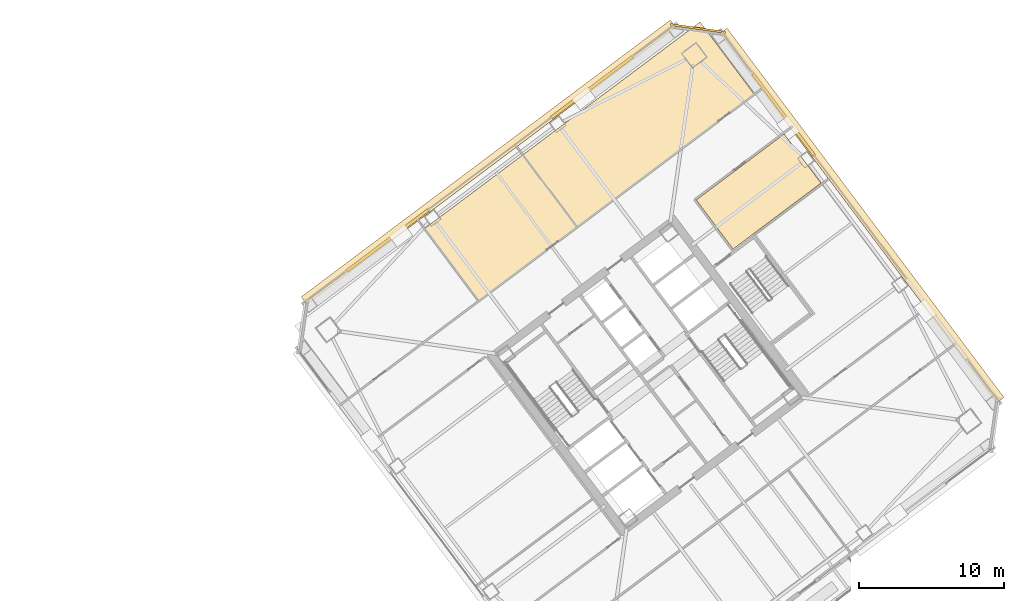
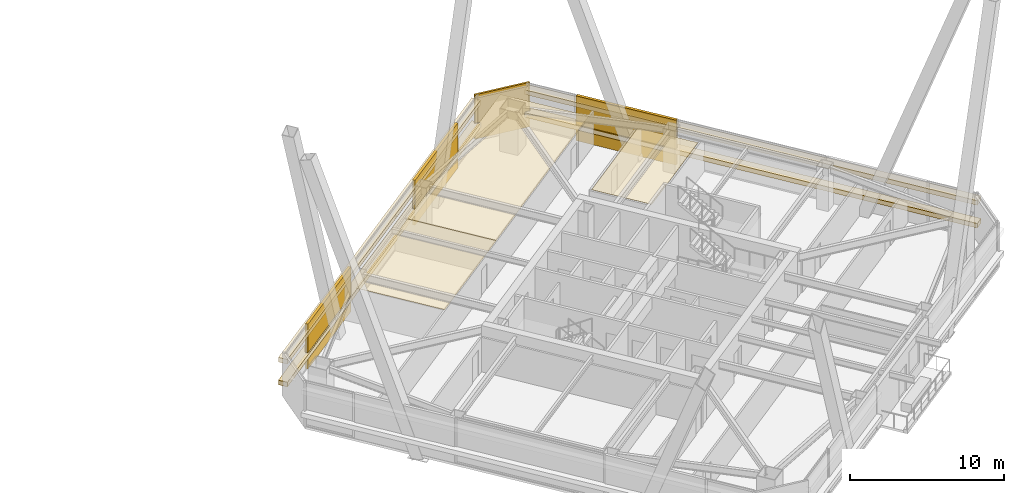
# One storey, part 54 of 54: 11 coverings.
"""IFC4 building model written with IfcOpenShell, lengths in metres."""

from ifc_helpers import new_model, si_unit, direction, frame, origin, origin_2d, place, context, subcontext, project, spatial, polyline, rectangle, outline, extrude, material, layer, layer_set, type_object, element, save


model = new_model("IFC4")

# Units and contexts
model_context = context("Model", 3, precision=1e-05, world=origin(), true_north=direction((0.0, 1.0)))
body_context = subcontext(model_context, "Body", "Model", "MODEL_VIEW")
ifc_project = project(units=[si_unit("LENGTHUNIT", "METRE"), si_unit("AREAUNIT", "SQUARE_METRE"), si_unit("VOLUMEUNIT", "CUBIC_METRE"), si_unit("PLANEANGLEUNIT", "RADIAN"), si_unit("MASSUNIT", "GRAM", prefix="KILO")], contexts=[model_context])

# Site, building, storey
site_placement = place(None, origin())
site = spatial("IfcSite", under=ifc_project, at=site_placement, CompositionType="ELEMENT")
building_placement = place(site_placement, origin())
building = spatial("IfcBuilding", under=site, at=building_placement, Name="Tashvorn Skyway Center", CompositionType="ELEMENT")
storey_placement = place(building_placement, frame((0.0, 0.0, 135.699951171875)))
storey = spatial("IfcBuildingStorey", under=building, at=storey_placement, Name="L36", CompositionType="ELEMENT", Elevation=135.699951171875)

# Coverings
ifc_material_1 = material(Name="Precast concrete C40/50", Category="concrete")
ifc_layer_1 = layer(ifc_material_1, 0.199951171875)
ifc_layer_set_1 = layer_set([ifc_layer_1], Name="Precast concrete C40/50")
covering_type_1 = type_object("IfcCoveringType", Name="COV-BRACE-CLAD", PredefinedType="CLADDING", material=ifc_layer_set_1)
for number, where, z_axis, x_axis, name in (
    (1, (95.97412109375, 41.33056640625, 0.0), (0.0, 0.0, 1.0), (0.799999996291, 0.600000004945, 0.0), "Tower 2 L36 North Unitised Curtain Wall Mega-Brace Cladding Band 1"),
    (2, (110.08984375, 51.917236328125, 0.0), (0.0, 0.0, 1.0), (0.799999996291, 0.600000004945, 0.0), "Tower 2 L36 North Unitised Curtain Wall Mega-Brace Cladding Band 2"),
    (3, (123.33056640625, 50.02587890625, 0.0), (0.0, 0.0, 1.0), (0.600000004945, -0.799999996291, 0.0), "Tower 2 L36 East Unitised Curtain Wall Mega-Brace Cladding Band 1"),
):
    element("IfcCovering", number, at=place(storey_placement, frame(where, z_axis=z_axis, x_axis=x_axis)), inside=storey, type_object=covering_type_1, Name=name, PredefinedType="CLADDING", context=body_context, shape_type="SweptSolid", body=[
        extrude(rectangle(XDim=7.057861328125, YDim=0.199951171875, at=origin_2d()), origin(), (0.0, 0.0, 1.0), 3.550048828125),
    ])
ifc_material_2 = material(Name="Mineral-fibre acoustic ceiling tile on suspended grid")
ifc_layer_2 = layer(ifc_material_2, 0.02001953125)
ifc_layer_set_2 = layer_set([ifc_layer_2], Name="Mineral-fibre acoustic ceiling tile on suspended grid")
covering_type_2 = type_object("IfcCoveringType", Name="COV-CEIL-20", PredefinedType="CEILING", material=ifc_layer_set_2)
covering_1_placement = place(storey_placement, frame((0.0, 0.0, 2.703125)))
element("IfcCovering", 4, at=covering_1_placement, inside=storey, type_object=covering_type_2, Name="Tower 2 L36 Executive Study Lounge Acoustic Ceiling", PredefinedType="CEILING", context=body_context, shape_type="SweptSolid", body=[
    extrude(outline(polyline([(102.27001953125, 37.139892578125), (109.070068359375, 42.239990234375), (105.320068359375, 47.239990234375), (98.52001953125, 42.139892578125), (102.27001953125, 37.139892578125)])), origin(), (0.0, 0.0, 1.0), 0.02001953125),
])
covering_2_placement = place(storey_placement, frame((0.0, 0.0, 2.703125)))
element("IfcCovering", 5, at=covering_2_placement, inside=storey, type_object=covering_type_2, Name="Tower 2 L36 Staff Fitness Club Acoustic Ceiling", PredefinedType="CEILING", context=body_context, shape_type="SweptSolid", body=[
    extrude(outline(polyline([(109.070068359375, 42.239990234375), (121.31005859375, 51.419921875), (117.56005859375, 56.419921875), (105.320068359375, 47.239990234375), (109.070068359375, 42.239990234375)])), origin(), (0.0, 0.0, 1.0), 0.02001953125),
])
covering_3_placement = place(storey_placement, frame((0.0, 0.0, 2.703125)))
element("IfcCovering", 6, at=covering_3_placement, inside=storey, type_object=covering_type_2, Name="Tower 2 L36 Open Plan Office Acoustic Ceiling", PredefinedType="CEILING", context=body_context, shape_type="SweptSolid", body=[
    extrude(outline(polyline([(119.840087890625, 40.72998046875), (117.2958984375, 44.1220703125), (123.367919921875, 48.676025390625), (125.912109375, 45.283935546875), (119.840087890625, 40.72998046875)])), origin(), (0.0, 0.0, 1.0), 0.02001953125),
])
ifc_material_3 = material(Name="Perforated ceramic-coated bronze aluminium solar screen", Category="aluminium")
ifc_layer_3 = layer(ifc_material_3, 0.85009765625)
ifc_layer_set_3 = layer_set([ifc_layer_3], Name="Perforated ceramic-coated bronze aluminium solar screen")
covering_type_3 = type_object("IfcCoveringType", Name="COV-SOLAR-BAND", PredefinedType="CLADDING", material=ifc_layer_set_3)
for number, where, z_axis, x_axis, name in (
    (7, (102.947998046875, 46.736083984375, 0.919921875), (0.0, 0.0, 1.0), (0.799999996291, 0.600000004945, 0.0), "L36 Perforated Ceramic-Metal Solar Screen Louvre Band North 1"),
    (8, (102.947998046875, 46.736083984375, 2.72021484375), (0.0, 0.0, 1.0), (0.799999996291, 0.600000004945, 0.0), "L36 Perforated Ceramic-Metal Solar Screen Louvre Band North 2"),
    (9, (128.736083984375, 43.052001953125, 0.919921875), (0.0, 0.0, 1.0), (0.600000004945, -0.799999996291, 0.0), "L36 Perforated Ceramic-Metal Solar Screen Louvre Band East 1"),
    (10, (128.736083984375, 43.052001953125, 2.72021484375), (0.0, 0.0, 1.0), (0.600000004945, -0.799999996291, 0.0), "L36 Perforated Ceramic-Metal Solar Screen Louvre Band East 2"),
):
    element("IfcCovering", number, at=place(storey_placement, frame(where, z_axis=z_axis, x_axis=x_axis)), inside=storey, type_object=covering_type_3, Name=name, PredefinedType="CLADDING", context=body_context, shape_type="SweptSolid", body=[
        extrude(rectangle(XDim=31.8798828125, YDim=0.639892578125, at=origin_2d()), origin(), (0.0, 0.0, 1.0), 0.360107421875),
    ])
ifc_layer_4 = layer(ifc_material_1, 0.35009765625)
ifc_layer_set_4 = layer_set([ifc_layer_4], Name="Precast concrete C40/50")
covering_type_4 = type_object("IfcCoveringType", Name="COV-STONE-TRIM", PredefinedType="CLADDING", material=ifc_layer_set_4)
covering_4_placement = place(storey_placement, frame((117.424072265625, 55.968017578125, 0.02001953125), z_axis=(0.0, 0.0, 1.0), x_axis=(0.989949494535, -0.141421350118, 0.0)))
element("IfcCovering", 11, at=covering_4_placement, inside=storey, type_object=covering_type_4, Name="Tower 2 L36 NE Mojave Limestone Corner Quoin", PredefinedType="CLADDING", context=body_context, shape_type="SweptSolid", body=[
    extrude(rectangle(XDim=3.8369140625, YDim=0.139892578125, at=origin_2d()), origin(), (0.0, 0.0, 1.0), 3.510009765625),
])

save(model, "model.ifc")
